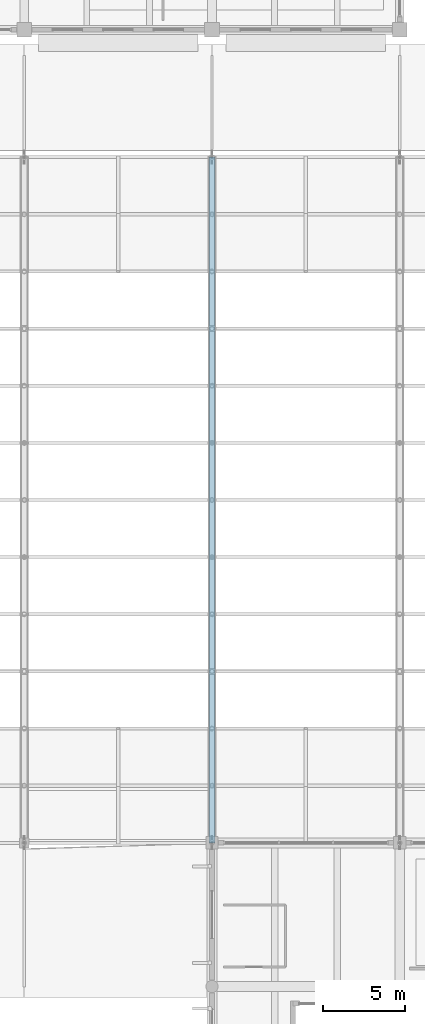
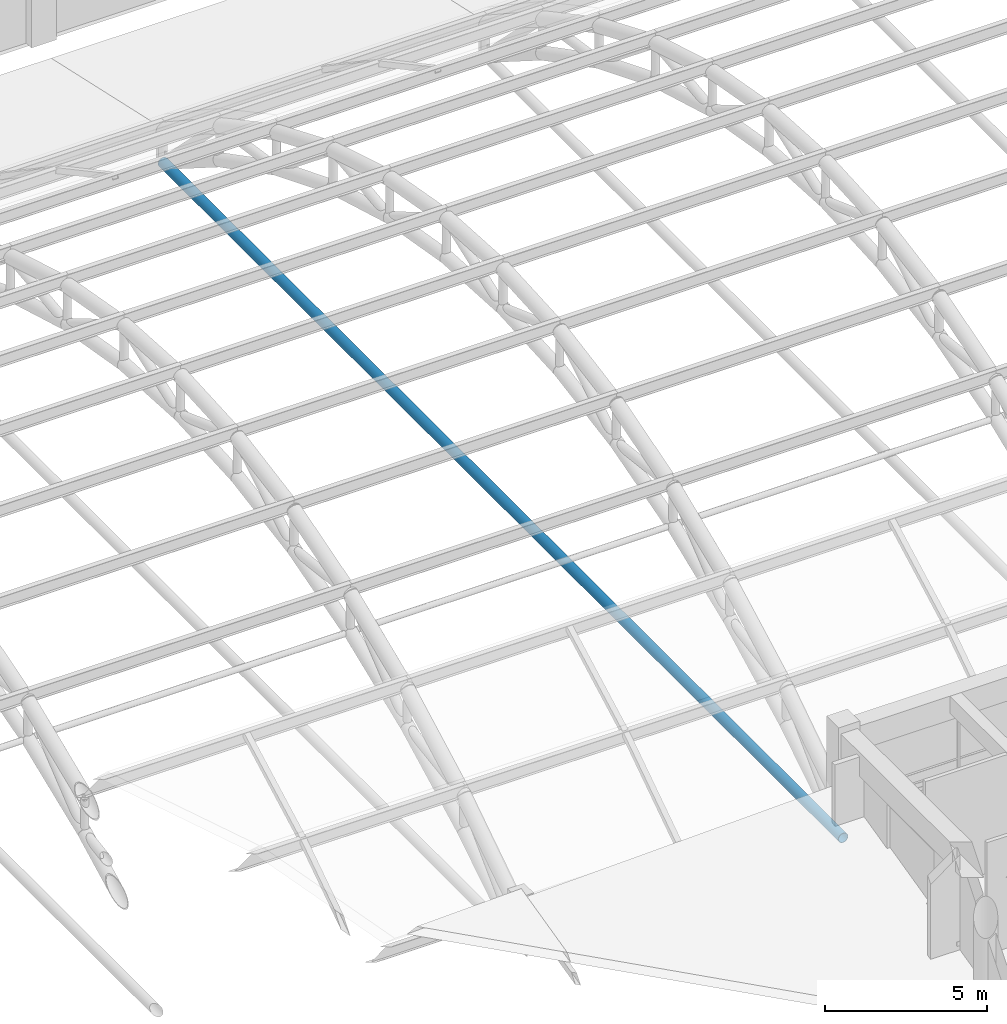
# One storey, part 25 of 154: 1 member.
"""IFC4 building model written with IfcOpenShell, lengths in metres."""

from ifc_helpers import new_model, si_unit, direction, frame, origin, origin_2d, place, context, subcontext, project, spatial, hollow_circle, extrude, material, material_profile, profile_set, type_object, element, save


model = new_model("IFC4")

# Units and contexts
model_context = context("Model", 3, precision=1e-05, world=origin(), true_north=direction((0.0, 1.0)))
body_context = subcontext(model_context, "Body", "Model", "MODEL_VIEW")
ifc_project = project(units=[si_unit("LENGTHUNIT", "METRE"), si_unit("AREAUNIT", "SQUARE_METRE"), si_unit("VOLUMEUNIT", "CUBIC_METRE"), si_unit("PLANEANGLEUNIT", "RADIAN"), si_unit("MASSUNIT", "GRAM", prefix="KILO")], contexts=[model_context])

# Site, building, storey
site_placement = place(None, origin())
site = spatial("IfcSite", under=ifc_project, at=site_placement, CompositionType="ELEMENT")
building_placement = place(site_placement, origin())
building = spatial("IfcBuilding", under=site, at=building_placement, Name="Ologun Quay Terminus", CompositionType="ELEMENT")
storey_placement = place(building_placement, frame((0.0, 0.0, 13.800048828125)))
storey = spatial("IfcBuildingStorey", under=building, at=storey_placement, Name="L03", CompositionType="ELEMENT", Elevation=13.800048828125)

# Member
ifc_material = material(Name="Steel S355", Category="steel")
ifc_material_profile = material_profile(ifc_material, hollow_circle(Radius=0.177734375, WallThickness=0.012451171875, at=origin_2d()), Name="CHS 355.6x12.5")
ifc_profile_set = profile_set([ifc_material_profile], Name="Steel S355")
member_type = type_object("IfcMemberType", Name="Arch Horizontal Tie Chord CHS355", PredefinedType="CHORD", material=ifc_profile_set)
member_placement = place(storey_placement, frame((57.5, 36.0, 0.0), z_axis=(0.0, 1.0, 0.0), x_axis=(-1.0, 0.0, 0.0)))
element("IfcMember", 1, at=member_placement, inside=storey, type_object=member_type, Name="AT1 Arch Tie Chord Grid 6", PredefinedType="CHORD", context=body_context, shape_type="SweptSolid", body=[
    extrude(hollow_circle(Radius=0.177734375, WallThickness=0.012451171875, at=origin_2d()), origin(), (0.0, 0.0, 1.0), 42.0),
])

save(model, "model.ifc")
